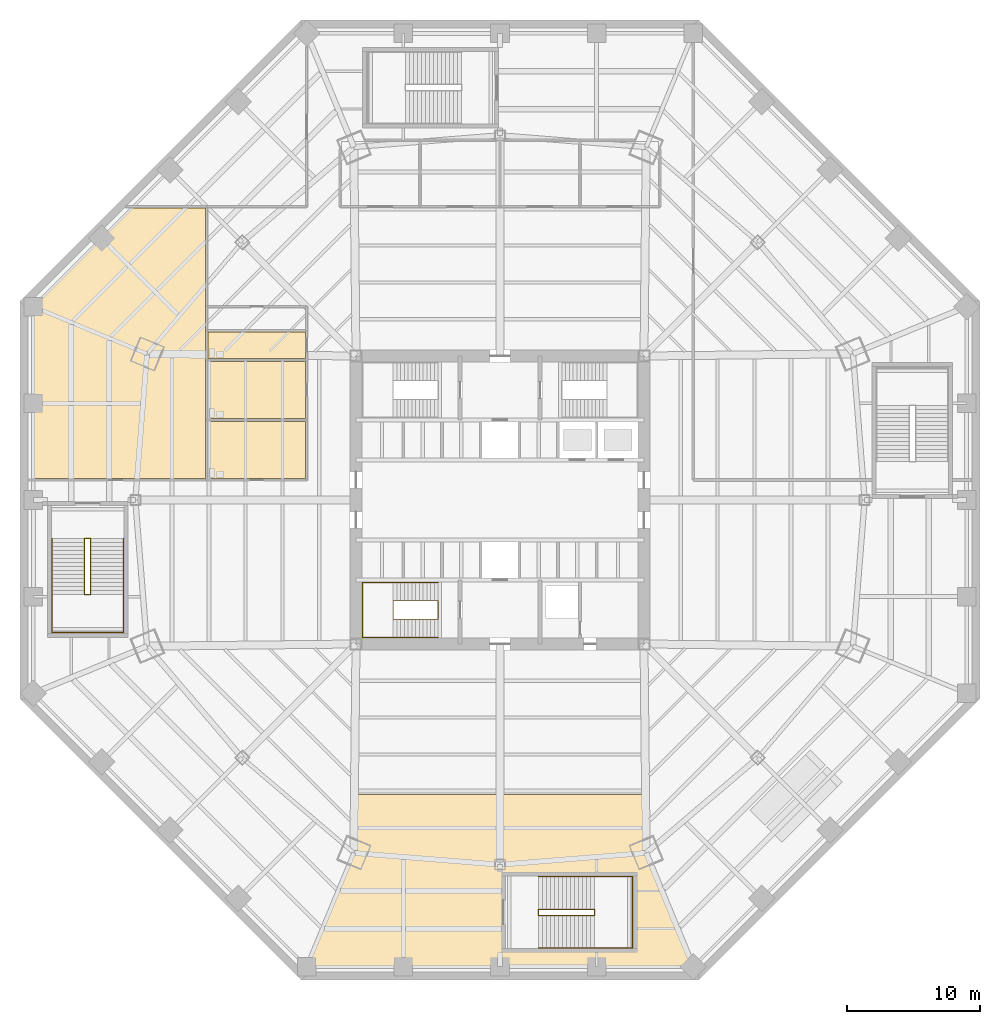
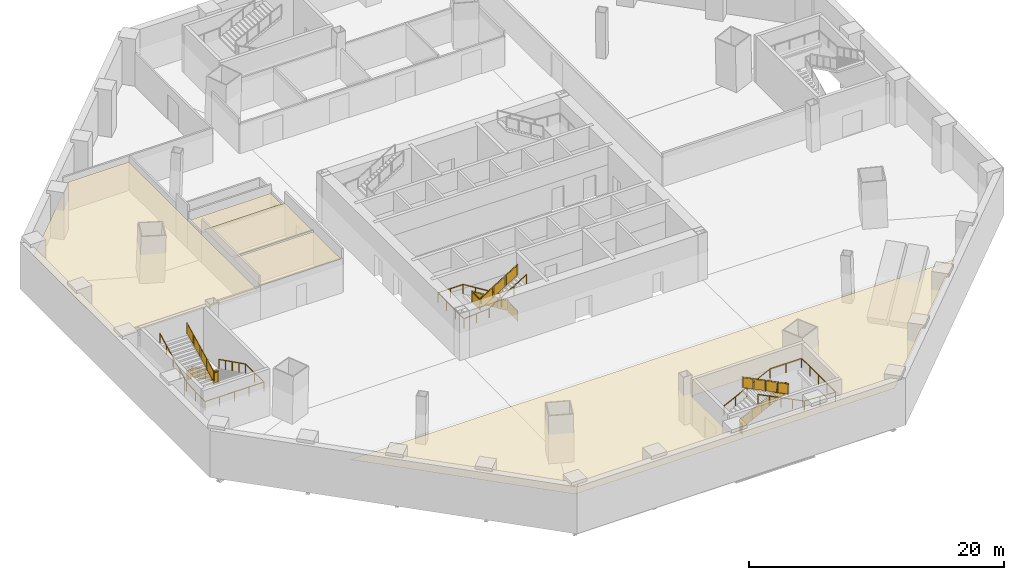
# One storey, part 11 of 15: 6 railings, 5 coverings.
"""IFC4 building model written with IfcOpenShell, lengths in metres."""

import ifcopenshell
import ifcopenshell.guid

model = None  # the IFC model being written
_history = None  # IfcOwnerHistory: only IFC2X3 demands one
_inside = {}  # id of a spatial element -> (the spatial element, [elements in it])
_under = {}  # id of a project, library or spatial element -> (it, [spatial elements below it])
_declared = {}  # id of a project -> (the project, [libraries it declares])
_typed = {}  # id of a type object -> (the type object, [elements of that type])
_made_of = {}  # id of a material, layer set ... -> (it, [elements and type objects made of it])


def new_model(schema):
    """Start an empty IFC model of exactly this schema.

    Asked for "IFC4X3", IfcOpenShell would pick the latest addendum, in which some entities
    have other attributes; the version numbers below select the first issue.
    IFC2X3 requires an IfcOwnerHistory on every rooted entity: one is made here for all.
    """
    global model, _history
    if schema == "IFC4X3":
        model = ifcopenshell.file(schema_version=(4, 3, 0, 0))
    else:
        model = ifcopenshell.file(schema=schema)
    _inside.clear()
    _under.clear()
    _declared.clear()
    _typed.clear()
    _made_of.clear()
    _history = None
    if model.schema == "IFC2X3":
        org = make("IfcOrganization", Name="unknown")
        user = make(
            "IfcPersonAndOrganization",
            ThePerson=make("IfcPerson", FamilyName="unknown"),
            TheOrganization=org,
        )
        app = make(
            "IfcApplication",
            ApplicationDeveloper=org,
            Version="unknown",
            ApplicationFullName="unknown",
            ApplicationIdentifier="unknown",
        )
        _history = make(
            "IfcOwnerHistory",
            OwningUser=user,
            OwningApplication=app,
            ChangeAction="ADDED",
            CreationDate=0,
        )
    return model


def make(cls, **values):
    """One entity of the class cls with the attributes given. An attribute that is None is left unset."""
    return model.create_entity(
        cls, **{name: value for name, value in values.items() if value is not None}
    )


def rooted(cls, **values):
    """An entity with a GlobalId (a new one), such as an element, a storey or a relation."""
    return make(cls, GlobalId=ifcopenshell.guid.new(), OwnerHistory=_history, **values)


def si_unit(unit_type, name, prefix=None):
    """IfcSIUnit, for example si_unit("LENGTHUNIT", "METRE", prefix="MILLI")."""
    return make("IfcSIUnit", UnitType=unit_type, Prefix=prefix, Name=name)


def assignment(units):
    """IfcUnitAssignment: the units of a project."""
    return None if units is None else make("IfcUnitAssignment", Units=units)


def point(xyz):
    """IfcCartesianPoint."""
    return None if xyz is None else make("IfcCartesianPoint", Coordinates=xyz)


def direction(xyz):
    """IfcDirection."""
    return None if xyz is None else make("IfcDirection", DirectionRatios=xyz)


def frame(location, z_axis=None, x_axis=None):
    """IfcAxis2Placement3D, a coordinate frame: its origin and axes. An axis left out is left unset."""
    return make(
        "IfcAxis2Placement3D",
        Location=point(location),
        Axis=direction(z_axis),
        RefDirection=direction(x_axis),
    )


def frame_2d(location, x_axis=None):
    """IfcAxis2Placement2D, a coordinate frame in the plane: its origin and x axis."""
    return make(
        "IfcAxis2Placement2D", Location=point(location), RefDirection=direction(x_axis)
    )


def origin():
    """The frame at (0, 0, 0) with its axes left unset."""
    return frame((0.0, 0.0, 0.0))


def origin_2d():
    """The frame at (0, 0) in the plane with its x axis left unset."""
    return frame_2d((0.0, 0.0))


def place(relative_to, where):
    """IfcLocalPlacement: puts the frame where relative to a parent placement (None: the world)."""
    return make(
        "IfcLocalPlacement", PlacementRelTo=relative_to, RelativePlacement=where
    )


def context(
    kind, dimensions, precision=None, world=None, true_north=None, identifier=None
):
    """IfcGeometricRepresentationContext, for example the 3D "Model" context."""
    return make(
        "IfcGeometricRepresentationContext",
        ContextIdentifier=identifier,
        ContextType=kind,
        CoordinateSpaceDimension=dimensions,
        Precision=precision,
        WorldCoordinateSystem=world,
        TrueNorth=true_north,
    )


def subcontext(parent, identifier, kind, view, scale=None):
    """IfcGeometricRepresentationSubContext, for example "Body" below "Model"."""
    return make(
        "IfcGeometricRepresentationSubContext",
        ContextIdentifier=identifier,
        ContextType=kind,
        ParentContext=parent,
        TargetScale=scale,
        TargetView=view,
    )


def project(units=None, contexts=None):
    """IfcProject with its units and contexts."""
    return rooted(
        "IfcProject",
        Name="project",
        RepresentationContexts=contexts,
        UnitsInContext=assignment(units),
    )


def spatial(cls, under=None, at=None, **own):
    """A site, building, storey or space (cls), placed at a placement, below another one or the project."""
    s = rooted(cls, ObjectPlacement=at, **own)
    if under is not None:
        _under.setdefault(under.id(), (under, []))[1].append(s)
    return s


def polyline(points):
    """IfcPolyline through the points."""
    return make("IfcPolyline", Points=[point(p) for p in points])


def profile(cls, at=None, kind="AREA", **sizes):
    """A parametric profile (cls). Its sizes go by their IFC names, for example OverallWidth=200.0."""
    return make(cls, ProfileType=kind, Position=at, **sizes)


def circle(**sizes):
    """IfcCircleProfileDef."""
    return profile("IfcCircleProfileDef", **sizes)


def outline(outer, holes=None, kind="AREA"):
    """IfcArbitraryClosedProfileDef: a profile drawn as a closed curve; with holes, ...WithVoids."""
    if holes is None:
        return make("IfcArbitraryClosedProfileDef", ProfileType=kind, OuterCurve=outer)
    return make(
        "IfcArbitraryProfileDefWithVoids",
        ProfileType=kind,
        OuterCurve=outer,
        InnerCurves=holes,
    )


def extrude(swept, where, along, depth):
    """IfcExtrudedAreaSolid: the profile swept, set in the frame where, extruded along a direction by depth."""
    return make(
        "IfcExtrudedAreaSolid",
        SweptArea=swept,
        Position=where,
        ExtrudedDirection=direction(along),
        Depth=depth,
    )


def shape(context_of_items, identifier, shape_type, items):
    """IfcShapeRepresentation: the items that make up one representation, for example the "Body"."""
    return make(
        "IfcShapeRepresentation",
        ContextOfItems=context_of_items,
        RepresentationIdentifier=identifier,
        RepresentationType=shape_type,
        Items=items,
    )


def material(Name=None, Category=None):
    """IfcMaterial."""
    return make("IfcMaterial", Name=Name, Category=Category)


def layer(
    of_material, thickness, ventilated=None, Name=None, Category=None, Priority=None
):
    """IfcMaterialLayer: one layer of a wall or slab, of a material (None: an air gap)."""
    return make(
        "IfcMaterialLayer",
        Material=of_material,
        LayerThickness=thickness,
        IsVentilated=ventilated,
        Name=Name,
        Category=Category,
        Priority=Priority,
    )


def layer_set(layers, Name=None):
    """IfcMaterialLayerSet."""
    return make("IfcMaterialLayerSet", MaterialLayers=layers, LayerSetName=Name)


def made_of(thing, what):
    """Note that an element or type object is made of a material, layer set ...; save() writes the relation."""
    if what is not None:
        _made_of.setdefault(what.id(), (what, []))[1].append(thing)
    return thing


def type_object(cls, material=None, **own):
    """A type object (cls), such as IfcWallType, which elements share."""
    return made_of(rooted(cls, **own), material)


def element(
    cls,
    number,
    at=None,
    inside=None,
    cuts=None,
    type_object=None,
    material=None,
    context=None,
    identifier="Body",
    shape_type=None,
    held_by="IfcProductDefinitionShape",
    body=None,
    shapes=None,
    **own,
):
    """One element of the class cls, such as IfcWall. Its Tag is "e" and its number.

    at: its placement. inside: the storey or other place that contains it. cuts: it is an
    opening in that element (IfcRelVoidsElement). A single representation is given by context,
    identifier, shape_type and body (its items); several are given by shapes. held_by: the class
    of the entity that holds the representations. save() writes the other relations.
    """
    e = rooted(cls, Tag="e%d" % number, ObjectPlacement=at, **own)
    if body is not None:
        shapes = [shape(context, identifier, shape_type, body)]
    if shapes is not None:
        e.Representation = make(held_by, Representations=shapes)
    if inside is not None:
        _inside.setdefault(inside.id(), (inside, []))[1].append(e)
    if cuts is not None:
        rooted(
            "IfcRelVoidsElement", RelatingBuildingElement=cuts, RelatedOpeningElement=e
        )
    if type_object is not None:
        _typed.setdefault(type_object.id(), (type_object, []))[1].append(e)
    return made_of(e, material)


def aggregate(whole, parts):
    """IfcRelAggregates: a whole, such as a stair, and the parts it consists of."""
    return rooted("IfcRelAggregates", RelatingObject=whole, RelatedObjects=parts)


def save(model, path):
    """Write the relations noted so far, then the file.

    IfcRelAggregates (storeys below a building ...), IfcRelContainedInSpatialStructure (elements
    in a storey), IfcRelDefinesByType, IfcRelAssociatesMaterial and IfcRelDeclares: one each for
    every whole, place, type object, material and project.
    """
    for whole, parts in _under.values():
        aggregate(whole, parts)
    for where, things in _inside.values():
        rooted(
            "IfcRelContainedInSpatialStructure",
            RelatedElements=things,
            RelatingStructure=where,
        )
    for kind, things in _typed.values():
        rooted("IfcRelDefinesByType", RelatedObjects=things, RelatingType=kind)
    for what, things in _made_of.values():
        rooted("IfcRelAssociatesMaterial", RelatedObjects=things, RelatingMaterial=what)
    for by, libraries in _declared.values():
        rooted("IfcRelDeclares", RelatingContext=by, RelatedDefinitions=libraries)
    model.write(path)


model = new_model("IFC4")

# Units and contexts
model_context = context("Model", 3, precision=1e-05, world=origin(), true_north=direction((0.0, 1.0)))
body_context = subcontext(model_context, "Body", "Model", "MODEL_VIEW")
ifc_project = project(units=[si_unit("LENGTHUNIT", "METRE"), si_unit("AREAUNIT", "SQUARE_METRE"), si_unit("VOLUMEUNIT", "CUBIC_METRE"), si_unit("PLANEANGLEUNIT", "RADIAN"), si_unit("MASSUNIT", "GRAM", prefix="KILO")], contexts=[model_context])

# Site, building, storey
site_placement = place(None, origin())
site = spatial("IfcSite", under=ifc_project, at=site_placement, CompositionType="ELEMENT")
building_placement = place(site_placement, origin())
building = spatial("IfcBuilding", under=site, at=building_placement, Name="Mashrafa Tower", CompositionType="ELEMENT")
storey_placement = place(building_placement, frame((0.0, 0.0, -4.5)))
storey = spatial("IfcBuildingStorey", under=building, at=storey_placement, Name="B1", CompositionType="ELEMENT", Elevation=-4.5)

# Railings
ifc_material_1 = material(Name="Steel guard with glass infill", Category="steel")
railing_type_1 = type_object("IfcRailingType", Name="Stair guard 1100", PredefinedType="GUARDRAIL", material=ifc_material_1)
railing_1_placement = place(storey_placement, frame((-4.64990234375, -8.949951171875, 0.0)))
element("IfcRailing", 1, at=railing_1_placement, inside=storey, type_object=railing_type_1, Name="Stair S3 guard B1", PredefinedType="GUARDRAIL", context=body_context, shape_type="SweptSolid", body=[
    extrude(circle(Radius=0.02392578125, at=origin_2d()), frame((0.0, 0.0, 1.076171875), z_axis=(0.0, 1.0, 0.0), x_axis=(-1.0, 0.0, 0.0)), (0.0, 0.0, 1.0), 1.39990234375),
    extrude(circle(Radius=0.02392578125, at=origin_2d()), frame((0.0, 1.39990234375, 1.076171875), z_axis=(0.0, 0.0, 1.0), x_axis=(1.0, 0.0, 0.0)), (0.0, 0.0, 1.0), 0.173095703125),
    extrude(circle(Radius=0.02392578125, at=origin_2d()), frame((0.0, 1.39990234375, 1.2490234375), z_axis=(-0.850623216509, 0.0, 0.525775754039), x_axis=(0.0, -1.0, 0.0)), (0.0, 0.0, 1.0), 3.9501953125),
    extrude(circle(Radius=0.02392578125, at=origin_2d()), frame((-3.360107421875, 1.39990234375, 3.326171875), z_axis=(0.0, -1.0, 0.0), x_axis=(1.0, 0.0, 0.0)), (0.0, 0.0, 1.0), 1.39990234375),
    extrude(circle(Radius=0.02392578125, at=origin_2d()), frame((-3.360107421875, 0.0, 3.326171875), z_axis=(0.0, 0.0, 1.0), x_axis=(1.0, 0.0, 0.0)), (0.0, 0.0, 1.0), 0.173095703125),
    extrude(circle(Radius=0.02392578125, at=origin_2d()), frame((-3.360107421875, 0.0, 3.4990234375), z_axis=(0.850623216509, 0.0, 0.525775754039), x_axis=(0.0, 1.0, 0.0)), (0.0, 0.0, 1.0), 3.9501953125),
    extrude(circle(Radius=0.02099609375, at=origin_2d()), origin(), (0.0, 0.0, 1.0), 1.052001953125),
    extrude(circle(Radius=0.02099609375, at=origin_2d()), frame((0.0, 1.39990234375, 0.0)), (0.0, 0.0, 1.0), 1.052001953125),
    extrude(circle(Radius=0.02099609375, at=origin_2d()), frame((0.0, 1.39990234375, 0.173095703125)), (0.0, 0.0, 1.0), 1.052001953125),
    extrude(circle(Radius=0.02099609375, at=origin_2d()), frame((-1.1201171875, 1.39990234375, 0.865478515625)), (0.0, 0.0, 1.0), 1.052001953125),
    extrude(circle(Radius=0.02099609375, at=origin_2d()), frame((-2.239990234375, 1.39990234375, 1.5576171875)), (0.0, 0.0, 1.0), 1.052001953125),
    extrude(circle(Radius=0.02099609375, at=origin_2d()), frame((-3.360107421875, 1.39990234375, 2.25)), (0.0, 0.0, 1.0), 1.052001953125),
    extrude(circle(Radius=0.02099609375, at=origin_2d()), frame((-3.360107421875, 0.0, 2.25)), (0.0, 0.0, 1.0), 1.052001953125),
    extrude(circle(Radius=0.02099609375, at=origin_2d()), frame((-3.360107421875, 0.0, 2.423095703125)), (0.0, 0.0, 1.0), 1.052001953125),
    extrude(circle(Radius=0.02099609375, at=origin_2d()), frame((-2.239990234375, 0.0, 3.115478515625)), (0.0, 0.0, 1.0), 1.052001953125),
    extrude(circle(Radius=0.02099609375, at=origin_2d()), frame((-1.1201171875, 0.0, 3.8076171875)), (0.0, 0.0, 1.0), 1.052001953125),
    extrude(circle(Radius=0.02099609375, at=origin_2d()), frame((0.0, 0.0, 4.5)), (0.0, 0.0, 1.0), 1.052001953125),
    extrude(outline(polyline([(0.071044921875, 0.050048828125), (1.328857421875, 0.050048828125), (1.328857421875, 1.001953125), (0.071044921875, 1.001953125), (0.071044921875, 0.050048828125)])), frame((0.006103515625, 0.0, 0.0), z_axis=(1.0, 0.0, 0.0), x_axis=(0.0, 1.0, 0.0)), (0.0, 0.0, 1.0), 0.011962890625),
    extrude(outline(polyline([(0.071044921875, 0.093994140625), (1.049072265625, 0.698486328125), (1.049072265625, 1.650390625), (0.071044921875, 1.0458984375), (0.071044921875, 0.093994140625)])), frame((0.0, 1.406005859375, 0.173095703125), z_axis=(0.0, 1.0, 0.0), x_axis=(-1.0, 0.0, 0.0)), (0.0, 0.0, 1.0), 0.011962890625),
    extrude(outline(polyline([(1.19091796875, 0.7861328125), (2.169189453125, 1.390625), (2.169189453125, 2.3427734375), (1.19091796875, 1.73828125), (1.19091796875, 0.7861328125)])), frame((0.0, 1.406005859375, 0.173095703125), z_axis=(0.0, 1.0, 0.0), x_axis=(-1.0, 0.0, 0.0)), (0.0, 0.0, 1.0), 0.011962890625),
    extrude(outline(polyline([(2.31103515625, 1.478515625), (3.2890625, 2.0830078125), (3.2890625, 3.034912109375), (2.31103515625, 2.430419921875), (2.31103515625, 1.478515625)])), frame((0.0, 1.406005859375, 0.173095703125), z_axis=(0.0, 1.0, 0.0), x_axis=(-1.0, 0.0, 0.0)), (0.0, 0.0, 1.0), 0.011962890625),
    extrude(outline(polyline([(0.071044921875, 0.050048828125), (1.328857421875, 0.050048828125), (1.328857421875, 1.001953125), (0.071044921875, 1.001953125), (0.071044921875, 0.050048828125)])), frame((-3.3662109375, 1.39990234375, 2.25), z_axis=(-1.0, 0.0, 0.0), x_axis=(0.0, -1.0, 0.0)), (0.0, 0.0, 1.0), 0.011962890625),
    extrude(outline(polyline([(0.071044921875, 0.093994140625), (1.049072265625, 0.698486328125), (1.049072265625, 1.650390625), (0.071044921875, 1.0458984375), (0.071044921875, 0.093994140625)])), frame((-3.360107421875, -0.006103515625, 2.423095703125), z_axis=(0.0, -1.0, 0.0), x_axis=(1.0, 0.0, 0.0)), (0.0, 0.0, 1.0), 0.011962890625),
    extrude(outline(polyline([(1.19091796875, 0.7861328125), (2.169189453125, 1.390625), (2.169189453125, 2.3427734375), (1.19091796875, 1.73828125), (1.19091796875, 0.7861328125)])), frame((-3.360107421875, -0.006103515625, 2.423095703125), z_axis=(0.0, -1.0, 0.0), x_axis=(1.0, 0.0, 0.0)), (0.0, 0.0, 1.0), 0.011962890625),
    extrude(outline(polyline([(2.31103515625, 1.478515625), (3.2890625, 2.0830078125), (3.2890625, 3.034912109375), (2.31103515625, 2.430419921875), (2.31103515625, 1.478515625)])), frame((-3.360107421875, -0.006103515625, 2.423095703125), z_axis=(0.0, -1.0, 0.0), x_axis=(1.0, 0.0, 0.0)), (0.0, 0.0, 1.0), 0.011962890625),
])
railing_2_placement = place(storey_placement, frame((-31.14990234375, -2.89990234375, 0.0)))
element("IfcRailing", 2, at=railing_2_placement, inside=storey, type_object=railing_type_1, Name="Stair P3 guard B1", PredefinedType="GUARDRAIL", context=body_context, shape_type="SweptSolid", body=[
    extrude(circle(Radius=0.02392578125, at=origin_2d()), frame((0.0, 0.0, 1.076171875), z_axis=(1.0, 0.0, 0.0), x_axis=(0.0, 1.0, 0.0)), (0.0, 0.0, 1.0), 0.449951171875),
    extrude(circle(Radius=0.02392578125, at=origin_2d()), frame((0.449951171875, 0.0, 1.076171875), z_axis=(0.0, 0.0, 1.0), x_axis=(1.0, 0.0, 0.0)), (0.0, 0.0, 1.0), 0.14990234375),
    extrude(circle(Radius=0.02392578125, at=origin_2d()), frame((0.449951171875, 0.0, 1.22607421875), z_axis=(0.0, -0.894427191, 0.4472135955), x_axis=(1.0, 0.0, 0.0)), (0.0, 0.0, 1.0), 4.696044921875),
    extrude(circle(Radius=0.02392578125, at=origin_2d()), frame((0.449951171875, -4.2001953125, 3.326171875), z_axis=(-1.0, 0.0, 0.0), x_axis=(0.0, -1.0, 0.0)), (0.0, 0.0, 1.0), 0.449951171875),
    extrude(circle(Radius=0.02392578125, at=origin_2d()), frame((0.0, -4.2001953125, 3.326171875), z_axis=(0.0, 0.0, 1.0), x_axis=(1.0, 0.0, 0.0)), (0.0, 0.0, 1.0), 0.14990234375),
    extrude(circle(Radius=0.02392578125, at=origin_2d()), frame((0.0, -4.2001953125, 3.47607421875), z_axis=(0.0, 0.894427191, 0.4472135955), x_axis=(-1.0, 0.0, 0.0)), (0.0, 0.0, 1.0), 4.696044921875),
    extrude(circle(Radius=0.02099609375, at=origin_2d()), origin(), (0.0, 0.0, 1.0), 1.052001953125),
    extrude(circle(Radius=0.02099609375, at=origin_2d()), frame((0.449951171875, 0.0, 0.0)), (0.0, 0.0, 1.0), 1.052001953125),
    extrude(circle(Radius=0.02099609375, at=origin_2d()), frame((0.449951171875, 0.0, 0.14990234375)), (0.0, 0.0, 1.0), 1.052001953125),
    extrude(circle(Radius=0.02099609375, at=origin_2d()), frame((0.449951171875, -1.050048828125, 0.6748046875)), (0.0, 0.0, 1.0), 1.052001953125),
    extrude(circle(Radius=0.02099609375, at=origin_2d()), frame((0.449951171875, -2.10009765625, 1.199951171875)), (0.0, 0.0, 1.0), 1.052001953125),
    extrude(circle(Radius=0.02099609375, at=origin_2d()), frame((0.449951171875, -3.150146484375, 1.72509765625)), (0.0, 0.0, 1.0), 1.052001953125),
    extrude(circle(Radius=0.02099609375, at=origin_2d()), frame((0.449951171875, -4.2001953125, 2.25)), (0.0, 0.0, 1.0), 1.052001953125),
    extrude(circle(Radius=0.02099609375, at=origin_2d()), frame((0.0, -4.2001953125, 2.25)), (0.0, 0.0, 1.0), 1.052001953125),
    extrude(circle(Radius=0.02099609375, at=origin_2d()), frame((0.0, -4.2001953125, 2.39990234375)), (0.0, 0.0, 1.0), 1.052001953125),
    extrude(circle(Radius=0.02099609375, at=origin_2d()), frame((0.0, -3.150146484375, 2.9248046875)), (0.0, 0.0, 1.0), 1.052001953125),
    extrude(circle(Radius=0.02099609375, at=origin_2d()), frame((0.0, -2.10009765625, 3.449951171875)), (0.0, 0.0, 1.0), 1.052001953125),
    extrude(circle(Radius=0.02099609375, at=origin_2d()), frame((0.0, -1.050048828125, 3.97509765625)), (0.0, 0.0, 1.0), 1.052001953125),
    extrude(circle(Radius=0.02099609375, at=origin_2d()), frame((0.0, 0.0, 4.5)), (0.0, 0.0, 1.0), 1.052001953125),
    extrude(outline(polyline([(0.071044921875, 0.050048828125), (0.37890625, 0.050048828125), (0.37890625, 1.001953125), (0.071044921875, 1.001953125), (0.071044921875, 0.050048828125)])), frame((0.0, -0.006103515625, 0.0), z_axis=(0.0, -1.0, 0.0), x_axis=(1.0, 0.0, 0.0)), (0.0, 0.0, 1.0), 0.011962890625),
    extrude(outline(polyline([(0.071044921875, 0.08544921875), (0.97900390625, 0.53955078125), (0.97900390625, 1.491455078125), (0.071044921875, 1.03759765625), (0.071044921875, 0.08544921875)])), frame((0.44384765625, 0.0, 0.14990234375), z_axis=(-1.0, 0.0, 0.0), x_axis=(0.0, -1.0, 0.0)), (0.0, 0.0, 1.0), 0.011962890625),
    extrude(outline(polyline([(1.12109375, 0.610595703125), (2.029052734375, 1.064453125), (2.029052734375, 2.0166015625), (1.12109375, 1.5625), (1.12109375, 0.610595703125)])), frame((0.44384765625, 0.0, 0.14990234375), z_axis=(-1.0, 0.0, 0.0), x_axis=(0.0, -1.0, 0.0)), (0.0, 0.0, 1.0), 0.011962890625),
    extrude(outline(polyline([(2.171142578125, 1.135498046875), (3.0791015625, 1.589599609375), (3.0791015625, 2.54150390625), (2.171142578125, 2.087646484375), (2.171142578125, 1.135498046875)])), frame((0.44384765625, 0.0, 0.14990234375), z_axis=(-1.0, 0.0, 0.0), x_axis=(0.0, -1.0, 0.0)), (0.0, 0.0, 1.0), 0.011962890625),
    extrude(outline(polyline([(3.22119140625, 1.66064453125), (4.129150390625, 2.114501953125), (4.129150390625, 3.066650390625), (3.22119140625, 2.612548828125), (3.22119140625, 1.66064453125)])), frame((0.44384765625, 0.0, 0.14990234375), z_axis=(-1.0, 0.0, 0.0), x_axis=(0.0, -1.0, 0.0)), (0.0, 0.0, 1.0), 0.011962890625),
    extrude(outline(polyline([(0.071044921875, 0.050048828125), (0.37890625, 0.050048828125), (0.37890625, 1.001953125), (0.071044921875, 1.001953125), (0.071044921875, 0.050048828125)])), frame((0.449951171875, -4.194091796875, 2.25), z_axis=(0.0, 1.0, 0.0), x_axis=(-1.0, 0.0, 0.0)), (0.0, 0.0, 1.0), 0.011962890625),
    extrude(outline(polyline([(0.071044921875, 0.08544921875), (0.97900390625, 0.53955078125), (0.97900390625, 1.491455078125), (0.071044921875, 1.03759765625), (0.071044921875, 0.08544921875)])), frame((0.006103515625, -4.2001953125, 2.39990234375), z_axis=(1.0, 0.0, 0.0), x_axis=(0.0, 1.0, 0.0)), (0.0, 0.0, 1.0), 0.011962890625),
    extrude(outline(polyline([(1.12109375, 0.610595703125), (2.029052734375, 1.064453125), (2.029052734375, 2.0166015625), (1.12109375, 1.5625), (1.12109375, 0.610595703125)])), frame((0.006103515625, -4.2001953125, 2.39990234375), z_axis=(1.0, 0.0, 0.0), x_axis=(0.0, 1.0, 0.0)), (0.0, 0.0, 1.0), 0.011962890625),
    extrude(outline(polyline([(2.171142578125, 1.135498046875), (3.0791015625, 1.589599609375), (3.0791015625, 2.54150390625), (2.171142578125, 2.087646484375), (2.171142578125, 1.135498046875)])), frame((0.006103515625, -4.2001953125, 2.39990234375), z_axis=(1.0, 0.0, 0.0), x_axis=(0.0, 1.0, 0.0)), (0.0, 0.0, 1.0), 0.011962890625),
    extrude(outline(polyline([(3.22119140625, 1.66064453125), (4.129150390625, 2.114501953125), (4.129150390625, 3.066650390625), (3.22119140625, 2.612548828125), (3.22119140625, 1.66064453125)])), frame((0.006103515625, -4.2001953125, 2.39990234375), z_axis=(1.0, 0.0, 0.0), x_axis=(0.0, 1.0, 0.0)), (0.0, 0.0, 1.0), 0.011962890625),
])
railing_3_placement = place(storey_placement, frame((2.89990234375, -31.14990234375, 0.0)))
element("IfcRailing", 3, at=railing_3_placement, inside=storey, type_object=railing_type_1, Name="Stair P4 guard B1", PredefinedType="GUARDRAIL", context=body_context, shape_type="SweptSolid", body=[
    extrude(circle(Radius=0.02392578125, at=origin_2d()), frame((0.0, 0.0, 1.076171875), z_axis=(0.0, 1.0, 0.0), x_axis=(-1.0, 0.0, 0.0)), (0.0, 0.0, 1.0), 0.449951171875),
    extrude(circle(Radius=0.02392578125, at=origin_2d()), frame((0.0, 0.449951171875, 1.076171875), z_axis=(0.0, 0.0, 1.0), x_axis=(1.0, 0.0, 0.0)), (0.0, 0.0, 1.0), 0.14990234375),
    extrude(circle(Radius=0.02392578125, at=origin_2d()), frame((0.0, 0.449951171875, 1.22607421875), z_axis=(0.894427191, 0.0, 0.4472135955), x_axis=(0.0, 1.0, 0.0)), (0.0, 0.0, 1.0), 4.696044921875),
    extrude(circle(Radius=0.02392578125, at=origin_2d()), frame((4.2001953125, 0.449951171875, 3.326171875), z_axis=(0.0, -1.0, 0.0), x_axis=(1.0, 0.0, 0.0)), (0.0, 0.0, 1.0), 0.449951171875),
    extrude(circle(Radius=0.02392578125, at=origin_2d()), frame((4.2001953125, 0.0, 3.326171875), z_axis=(0.0, 0.0, 1.0), x_axis=(1.0, 0.0, 0.0)), (0.0, 0.0, 1.0), 0.14990234375),
    extrude(circle(Radius=0.02392578125, at=origin_2d()), frame((4.2001953125, 0.0, 3.47607421875), z_axis=(-0.894427191, 0.0, 0.4472135955), x_axis=(0.0, -1.0, 0.0)), (0.0, 0.0, 1.0), 4.696044921875),
    extrude(circle(Radius=0.02099609375, at=origin_2d()), origin(), (0.0, 0.0, 1.0), 1.052001953125),
    extrude(circle(Radius=0.02099609375, at=origin_2d()), frame((0.0, 0.449951171875, 0.0)), (0.0, 0.0, 1.0), 1.052001953125),
    extrude(circle(Radius=0.02099609375, at=origin_2d()), frame((0.0, 0.449951171875, 0.14990234375)), (0.0, 0.0, 1.0), 1.052001953125),
    extrude(circle(Radius=0.02099609375, at=origin_2d()), frame((1.050048828125, 0.449951171875, 0.6748046875)), (0.0, 0.0, 1.0), 1.052001953125),
    extrude(circle(Radius=0.02099609375, at=origin_2d()), frame((2.10009765625, 0.449951171875, 1.199951171875)), (0.0, 0.0, 1.0), 1.052001953125),
    extrude(circle(Radius=0.02099609375, at=origin_2d()), frame((3.150146484375, 0.449951171875, 1.72509765625)), (0.0, 0.0, 1.0), 1.052001953125),
    extrude(circle(Radius=0.02099609375, at=origin_2d()), frame((4.2001953125, 0.449951171875, 2.25)), (0.0, 0.0, 1.0), 1.052001953125),
    extrude(circle(Radius=0.02099609375, at=origin_2d()), frame((4.2001953125, 0.0, 2.25)), (0.0, 0.0, 1.0), 1.052001953125),
    extrude(circle(Radius=0.02099609375, at=origin_2d()), frame((4.2001953125, 0.0, 2.39990234375)), (0.0, 0.0, 1.0), 1.052001953125),
    extrude(circle(Radius=0.02099609375, at=origin_2d()), frame((3.150146484375, 0.0, 2.9248046875)), (0.0, 0.0, 1.0), 1.052001953125),
    extrude(circle(Radius=0.02099609375, at=origin_2d()), frame((2.10009765625, 0.0, 3.449951171875)), (0.0, 0.0, 1.0), 1.052001953125),
    extrude(circle(Radius=0.02099609375, at=origin_2d()), frame((1.050048828125, 0.0, 3.97509765625)), (0.0, 0.0, 1.0), 1.052001953125),
    extrude(circle(Radius=0.02099609375, at=origin_2d()), frame((0.0, 0.0, 4.5)), (0.0, 0.0, 1.0), 1.052001953125),
    extrude(outline(polyline([(0.071044921875, 0.050048828125), (0.37890625, 0.050048828125), (0.37890625, 1.001953125), (0.071044921875, 1.001953125), (0.071044921875, 0.050048828125)])), frame((0.006103515625, 0.0, 0.0), z_axis=(1.0, 0.0, 0.0), x_axis=(0.0, 1.0, 0.0)), (0.0, 0.0, 1.0), 0.011962890625),
    extrude(outline(polyline([(0.071044921875, 0.08544921875), (0.97900390625, 0.53955078125), (0.97900390625, 1.491455078125), (0.071044921875, 1.03759765625), (0.071044921875, 0.08544921875)])), frame((0.0, 0.44384765625, 0.14990234375), z_axis=(0.0, -1.0, 0.0), x_axis=(1.0, 0.0, 0.0)), (0.0, 0.0, 1.0), 0.011962890625),
    extrude(outline(polyline([(1.12109375, 0.610595703125), (2.029052734375, 1.064453125), (2.029052734375, 2.0166015625), (1.12109375, 1.5625), (1.12109375, 0.610595703125)])), frame((0.0, 0.44384765625, 0.14990234375), z_axis=(0.0, -1.0, 0.0), x_axis=(1.0, 0.0, 0.0)), (0.0, 0.0, 1.0), 0.011962890625),
    extrude(outline(polyline([(2.171142578125, 1.135498046875), (3.0791015625, 1.589599609375), (3.0791015625, 2.54150390625), (2.171142578125, 2.087646484375), (2.171142578125, 1.135498046875)])), frame((0.0, 0.44384765625, 0.14990234375), z_axis=(0.0, -1.0, 0.0), x_axis=(1.0, 0.0, 0.0)), (0.0, 0.0, 1.0), 0.011962890625),
    extrude(outline(polyline([(3.22119140625, 1.66064453125), (4.129150390625, 2.114501953125), (4.129150390625, 3.066650390625), (3.22119140625, 2.612548828125), (3.22119140625, 1.66064453125)])), frame((0.0, 0.44384765625, 0.14990234375), z_axis=(0.0, -1.0, 0.0), x_axis=(1.0, 0.0, 0.0)), (0.0, 0.0, 1.0), 0.011962890625),
    extrude(outline(polyline([(0.071044921875, 0.050048828125), (0.37890625, 0.050048828125), (0.37890625, 1.001953125), (0.071044921875, 1.001953125), (0.071044921875, 0.050048828125)])), frame((4.194091796875, 0.449951171875, 2.25), z_axis=(-1.0, 0.0, 0.0), x_axis=(0.0, -1.0, 0.0)), (0.0, 0.0, 1.0), 0.011962890625),
    extrude(outline(polyline([(0.071044921875, 0.08544921875), (0.97900390625, 0.53955078125), (0.97900390625, 1.491455078125), (0.071044921875, 1.03759765625), (0.071044921875, 0.08544921875)])), frame((4.2001953125, 0.006103515625, 2.39990234375), z_axis=(0.0, 1.0, 0.0), x_axis=(-1.0, 0.0, 0.0)), (0.0, 0.0, 1.0), 0.011962890625),
    extrude(outline(polyline([(1.12109375, 0.610595703125), (2.029052734375, 1.064453125), (2.029052734375, 2.0166015625), (1.12109375, 1.5625), (1.12109375, 0.610595703125)])), frame((4.2001953125, 0.006103515625, 2.39990234375), z_axis=(0.0, 1.0, 0.0), x_axis=(-1.0, 0.0, 0.0)), (0.0, 0.0, 1.0), 0.011962890625),
    extrude(outline(polyline([(2.171142578125, 1.135498046875), (3.0791015625, 1.589599609375), (3.0791015625, 2.54150390625), (2.171142578125, 2.087646484375), (2.171142578125, 1.135498046875)])), frame((4.2001953125, 0.006103515625, 2.39990234375), z_axis=(0.0, 1.0, 0.0), x_axis=(-1.0, 0.0, 0.0)), (0.0, 0.0, 1.0), 0.011962890625),
    extrude(outline(polyline([(3.22119140625, 1.66064453125), (4.129150390625, 2.114501953125), (4.129150390625, 3.066650390625), (3.22119140625, 2.612548828125), (3.22119140625, 1.66064453125)])), frame((4.2001953125, 0.006103515625, 2.39990234375), z_axis=(0.0, 1.0, 0.0), x_axis=(-1.0, 0.0, 0.0)), (0.0, 0.0, 1.0), 0.011962890625),
])
ifc_material_2 = material(Name="Steel", Category="steel")
railing_type_2 = type_object("IfcRailingType", Name="Stair handrail 900", PredefinedType="HANDRAIL", material=ifc_material_2)
railing_4_placement = place(storey_placement, frame((-4.64990234375, -6.199951171875, 0.173095703125)))
element("IfcRailing", 4, at=railing_4_placement, inside=storey, type_object=railing_type_2, Name="Stair S3 handrail B1", PredefinedType="HANDRAIL", context=body_context, shape_type="SweptSolid", body=[
    extrude(circle(Radius=0.02392578125, at=origin_2d()), frame((0.0, 0.0, 0.8759765625), z_axis=(-0.850623216509, 0.0, 0.525775754039), x_axis=(0.0, -1.0, 0.0)), (0.0, 0.0, 1.0), 3.9501953125),
    extrude(circle(Radius=0.02392578125, at=origin_2d()), frame((-3.360107421875, 0.0, 2.95263671875), z_axis=(-1.0, 0.0, 0.0), x_axis=(0.0, -1.0, 0.0)), (0.0, 0.0, 1.0), 2.2900390625),
    extrude(circle(Radius=0.02392578125, at=origin_2d()), frame((-5.650146484375, 0.0, 2.95263671875), z_axis=(0.0, -1.0, 0.0), x_axis=(1.0, 0.0, 0.0)), (0.0, 0.0, 1.0), 4.10009765625),
    extrude(circle(Radius=0.02392578125, at=origin_2d()), frame((-5.650146484375, -4.10009765625, 2.95263671875), z_axis=(0.99715553422, 0.0, 0.075371351147), x_axis=(0.0, 1.0, 0.0)), (0.0, 0.0, 1.0), 2.296630859375),
    extrude(circle(Radius=0.02392578125, at=origin_2d()), frame((-3.360107421875, -4.10009765625, 3.1259765625), z_axis=(0.850623216509, 0.0, 0.525775754039), x_axis=(0.0, 1.0, 0.0)), (0.0, 0.0, 1.0), 3.9501953125),
    extrude(circle(Radius=0.02099609375, at=origin_2d()), origin(), (0.0, 0.0, 1.0), 0.851806640625),
    extrude(circle(Radius=0.02099609375, at=origin_2d()), frame((-1.1201171875, 0.0, 0.6923828125)), (0.0, 0.0, 1.0), 0.851806640625),
    extrude(circle(Radius=0.02099609375, at=origin_2d()), frame((-2.239990234375, 0.0, 1.384521484375)), (0.0, 0.0, 1.0), 0.851806640625),
    extrude(circle(Radius=0.02099609375, at=origin_2d()), frame((-3.360107421875, 0.0, 2.076904296875)), (0.0, 0.0, 1.0), 0.851806640625),
    extrude(circle(Radius=0.02099609375, at=origin_2d()), frame((-4.505126953125, 0.0, 2.076904296875)), (0.0, 0.0, 1.0), 0.851806640625),
    extrude(circle(Radius=0.02099609375, at=origin_2d()), frame((-5.650146484375, 0.0, 2.076904296875)), (0.0, 0.0, 1.0), 0.851806640625),
    extrude(circle(Radius=0.02099609375, at=origin_2d()), frame((-5.650146484375, -1.36669921875, 2.076904296875)), (0.0, 0.0, 1.0), 0.851806640625),
    extrude(circle(Radius=0.02099609375, at=origin_2d()), frame((-5.650146484375, -2.7333984375, 2.076904296875)), (0.0, 0.0, 1.0), 0.851806640625),
    extrude(circle(Radius=0.02099609375, at=origin_2d()), frame((-5.650146484375, -4.10009765625, 2.076904296875)), (0.0, 0.0, 1.0), 0.851806640625),
    extrude(circle(Radius=0.02099609375, at=origin_2d()), frame((-4.505126953125, -4.10009765625, 2.16357421875)), (0.0, 0.0, 1.0), 0.851806640625),
    extrude(circle(Radius=0.02099609375, at=origin_2d()), frame((-3.360107421875, -4.10009765625, 2.25)), (0.0, 0.0, 1.0), 0.851806640625),
    extrude(circle(Radius=0.02099609375, at=origin_2d()), frame((-2.239990234375, -4.10009765625, 2.9423828125)), (0.0, 0.0, 1.0), 0.851806640625),
    extrude(circle(Radius=0.02099609375, at=origin_2d()), frame((-1.1201171875, -4.10009765625, 3.634521484375)), (0.0, 0.0, 1.0), 0.851806640625),
    extrude(circle(Radius=0.02099609375, at=origin_2d()), frame((0.0, -4.10009765625, 4.326904296875)), (0.0, 0.0, 1.0), 0.851806640625),
])
railing_5_placement = place(storey_placement, frame((-28.25, -2.89990234375, 0.14990234375)))
element("IfcRailing", 5, at=railing_5_placement, inside=storey, type_object=railing_type_2, Name="Stair P3 handrail B1", PredefinedType="HANDRAIL", context=body_context, shape_type="SweptSolid", body=[
    extrude(circle(Radius=0.02392578125, at=origin_2d()), frame((0.0, 0.0, 0.8759765625), z_axis=(0.0, -0.894427191, 0.4472135955), x_axis=(1.0, 0.0, 0.0)), (0.0, 0.0, 1.0), 4.696044921875),
    extrude(circle(Radius=0.02392578125, at=origin_2d()), frame((0.0, -4.2001953125, 2.97607421875), z_axis=(0.0, -1.0, 0.0), x_axis=(1.0, 0.0, 0.0)), (0.0, 0.0, 1.0), 2.849853515625),
    extrude(circle(Radius=0.02392578125, at=origin_2d()), frame((0.0, -7.050048828125, 2.97607421875), z_axis=(-1.0, 0.0, 0.0), x_axis=(0.0, -1.0, 0.0)), (0.0, 0.0, 1.0), 5.35009765625),
    extrude(circle(Radius=0.02392578125, at=origin_2d()), frame((-5.35009765625, -7.050048828125, 2.97607421875), z_axis=(0.0, 0.99861948311, 0.052527401922), x_axis=(-1.0, 0.0, 0.0)), (0.0, 0.0, 1.0), 2.853759765625),
    extrude(circle(Radius=0.02392578125, at=origin_2d()), frame((-5.35009765625, -4.2001953125, 3.1259765625), z_axis=(0.0, 0.894427191, 0.4472135955), x_axis=(-1.0, 0.0, 0.0)), (0.0, 0.0, 1.0), 4.696044921875),
    extrude(circle(Radius=0.02099609375, at=origin_2d()), origin(), (0.0, 0.0, 1.0), 0.851806640625),
    extrude(circle(Radius=0.02099609375, at=origin_2d()), frame((0.0, -1.050048828125, 0.52490234375)), (0.0, 0.0, 1.0), 0.851806640625),
    extrude(circle(Radius=0.02099609375, at=origin_2d()), frame((0.0, -2.10009765625, 1.050048828125)), (0.0, 0.0, 1.0), 0.851806640625),
    extrude(circle(Radius=0.02099609375, at=origin_2d()), frame((0.0, -3.150146484375, 1.5751953125)), (0.0, 0.0, 1.0), 0.851806640625),
    extrude(circle(Radius=0.02099609375, at=origin_2d()), frame((0.0, -4.2001953125, 2.10009765625)), (0.0, 0.0, 1.0), 0.851806640625),
    extrude(circle(Radius=0.02099609375, at=origin_2d()), frame((0.0, -5.625, 2.10009765625)), (0.0, 0.0, 1.0), 0.851806640625),
    extrude(circle(Radius=0.02099609375, at=origin_2d()), frame((0.0, -7.050048828125, 2.10009765625)), (0.0, 0.0, 1.0), 0.851806640625),
    extrude(circle(Radius=0.02099609375, at=origin_2d()), frame((-1.33740234375, -7.050048828125, 2.10009765625)), (0.0, 0.0, 1.0), 0.851806640625),
    extrude(circle(Radius=0.02099609375, at=origin_2d()), frame((-2.675048828125, -7.050048828125, 2.10009765625)), (0.0, 0.0, 1.0), 0.851806640625),
    extrude(circle(Radius=0.02099609375, at=origin_2d()), frame((-4.0126953125, -7.050048828125, 2.10009765625)), (0.0, 0.0, 1.0), 0.851806640625),
    extrude(circle(Radius=0.02099609375, at=origin_2d()), frame((-5.35009765625, -7.050048828125, 2.10009765625)), (0.0, 0.0, 1.0), 0.851806640625),
    extrude(circle(Radius=0.02099609375, at=origin_2d()), frame((-5.35009765625, -5.625, 2.175048828125)), (0.0, 0.0, 1.0), 0.851806640625),
    extrude(circle(Radius=0.02099609375, at=origin_2d()), frame((-5.35009765625, -4.2001953125, 2.25)), (0.0, 0.0, 1.0), 0.851806640625),
    extrude(circle(Radius=0.02099609375, at=origin_2d()), frame((-5.35009765625, -3.150146484375, 2.77490234375)), (0.0, 0.0, 1.0), 0.851806640625),
    extrude(circle(Radius=0.02099609375, at=origin_2d()), frame((-5.35009765625, -2.10009765625, 3.300048828125)), (0.0, 0.0, 1.0), 0.851806640625),
    extrude(circle(Radius=0.02099609375, at=origin_2d()), frame((-5.35009765625, -1.050048828125, 3.8251953125)), (0.0, 0.0, 1.0), 0.851806640625),
    extrude(circle(Radius=0.02099609375, at=origin_2d()), frame((-5.35009765625, 0.0, 4.35009765625)), (0.0, 0.0, 1.0), 0.851806640625),
])
railing_6_placement = place(storey_placement, frame((2.89990234375, -28.25, 0.14990234375)))
element("IfcRailing", 6, at=railing_6_placement, inside=storey, type_object=railing_type_2, Name="Stair P4 handrail B1", PredefinedType="HANDRAIL", context=body_context, shape_type="SweptSolid", body=[
    extrude(circle(Radius=0.02392578125, at=origin_2d()), frame((0.0, 0.0, 0.8759765625), z_axis=(0.894427191, 0.0, 0.4472135955), x_axis=(0.0, 1.0, 0.0)), (0.0, 0.0, 1.0), 4.696044921875),
    extrude(circle(Radius=0.02392578125, at=origin_2d()), frame((4.2001953125, 0.0, 2.97607421875), z_axis=(1.0, 0.0, 0.0), x_axis=(0.0, 1.0, 0.0)), (0.0, 0.0, 1.0), 2.849853515625),
    extrude(circle(Radius=0.02392578125, at=origin_2d()), frame((7.050048828125, 0.0, 2.97607421875), z_axis=(0.0, -1.0, 0.0), x_axis=(1.0, 0.0, 0.0)), (0.0, 0.0, 1.0), 5.35009765625),
    extrude(circle(Radius=0.02392578125, at=origin_2d()), frame((7.050048828125, -5.35009765625, 2.97607421875), z_axis=(-0.99861948311, 0.0, 0.052527401922), x_axis=(0.0, -1.0, 0.0)), (0.0, 0.0, 1.0), 2.853759765625),
    extrude(circle(Radius=0.02392578125, at=origin_2d()), frame((4.2001953125, -5.35009765625, 3.1259765625), z_axis=(-0.894427191, 0.0, 0.4472135955), x_axis=(0.0, -1.0, 0.0)), (0.0, 0.0, 1.0), 4.696044921875),
    extrude(circle(Radius=0.02099609375, at=origin_2d()), origin(), (0.0, 0.0, 1.0), 0.851806640625),
    extrude(circle(Radius=0.02099609375, at=origin_2d()), frame((1.050048828125, 0.0, 0.52490234375)), (0.0, 0.0, 1.0), 0.851806640625),
    extrude(circle(Radius=0.02099609375, at=origin_2d()), frame((2.10009765625, 0.0, 1.050048828125)), (0.0, 0.0, 1.0), 0.851806640625),
    extrude(circle(Radius=0.02099609375, at=origin_2d()), frame((3.150146484375, 0.0, 1.5751953125)), (0.0, 0.0, 1.0), 0.851806640625),
    extrude(circle(Radius=0.02099609375, at=origin_2d()), frame((4.2001953125, 0.0, 2.10009765625)), (0.0, 0.0, 1.0), 0.851806640625),
    extrude(circle(Radius=0.02099609375, at=origin_2d()), frame((5.625, 0.0, 2.10009765625)), (0.0, 0.0, 1.0), 0.851806640625),
    extrude(circle(Radius=0.02099609375, at=origin_2d()), frame((7.050048828125, 0.0, 2.10009765625)), (0.0, 0.0, 1.0), 0.851806640625),
    extrude(circle(Radius=0.02099609375, at=origin_2d()), frame((7.050048828125, -1.33740234375, 2.10009765625)), (0.0, 0.0, 1.0), 0.851806640625),
    extrude(circle(Radius=0.02099609375, at=origin_2d()), frame((7.050048828125, -2.675048828125, 2.10009765625)), (0.0, 0.0, 1.0), 0.851806640625),
    extrude(circle(Radius=0.02099609375, at=origin_2d()), frame((7.050048828125, -4.0126953125, 2.10009765625)), (0.0, 0.0, 1.0), 0.851806640625),
    extrude(circle(Radius=0.02099609375, at=origin_2d()), frame((7.050048828125, -5.35009765625, 2.10009765625)), (0.0, 0.0, 1.0), 0.851806640625),
    extrude(circle(Radius=0.02099609375, at=origin_2d()), frame((5.625, -5.35009765625, 2.175048828125)), (0.0, 0.0, 1.0), 0.851806640625),
    extrude(circle(Radius=0.02099609375, at=origin_2d()), frame((4.2001953125, -5.35009765625, 2.25)), (0.0, 0.0, 1.0), 0.851806640625),
    extrude(circle(Radius=0.02099609375, at=origin_2d()), frame((3.150146484375, -5.35009765625, 2.77490234375)), (0.0, 0.0, 1.0), 0.851806640625),
    extrude(circle(Radius=0.02099609375, at=origin_2d()), frame((2.10009765625, -5.35009765625, 3.300048828125)), (0.0, 0.0, 1.0), 0.851806640625),
    extrude(circle(Radius=0.02099609375, at=origin_2d()), frame((1.050048828125, -5.35009765625, 3.8251953125)), (0.0, 0.0, 1.0), 0.851806640625),
    extrude(circle(Radius=0.02099609375, at=origin_2d()), frame((0.0, -5.35009765625, 4.35009765625)), (0.0, 0.0, 1.0), 0.851806640625),
])

# Coverings
ifc_material_3 = material(Name="Mineral fibre tile on suspension grid")
ifc_layer = layer(ifc_material_3, 0.014892578125)
ifc_layer_set = layer_set([ifc_layer], Name="Suspended ceiling mineral tile 15")
covering_type = type_object("IfcCoveringType", Name="Suspended ceiling mineral tile 15", PredefinedType="CEILING", material=ifc_layer_set)
covering_1_placement = place(storey_placement, frame((0.0, 0.0, 3.14990234375)))
element("IfcCovering", 7, at=covering_1_placement, inside=storey, type_object=covering_type, Name="Ceiling WC Female B1", PredefinedType="CEILING", context=body_context, shape_type="SweptSolid", body=[
    extrude(outline(polyline([(-21.89990234375, 1.60009765625), (-21.89990234375, 5.89990234375), (-14.60009765625, 5.89990234375), (-14.60009765625, 1.60009765625), (-21.89990234375, 1.60009765625)])), origin(), (0.0, 0.0, 1.0), 0.01513671875),
])
covering_2_placement = place(storey_placement, frame((0.0, 0.0, 3.14990234375)))
element("IfcCovering", 8, at=covering_2_placement, inside=storey, type_object=covering_type, Name="Ceiling WC Male B1", PredefinedType="CEILING", context=body_context, shape_type="SweptSolid", body=[
    extrude(outline(polyline([(-21.89990234375, 6.10009765625), (-21.89990234375, 10.39990234375), (-14.60009765625, 10.39990234375), (-14.60009765625, 6.10009765625), (-21.89990234375, 6.10009765625)])), origin(), (0.0, 0.0, 1.0), 0.01513671875),
])
covering_3_placement = place(storey_placement, frame((0.0, 0.0, 2.75)))
element("IfcCovering", 9, at=covering_3_placement, inside=storey, type_object=covering_type, Name="Ceiling Accessible WC B1", PredefinedType="CEILING", context=body_context, shape_type="SweptSolid", body=[
    extrude(outline(polyline([(-21.89990234375, 10.60009765625), (-21.89990234375, 12.60009765625), (-14.60009765625, 12.60009765625), (-14.60009765625, 10.60009765625), (-21.89990234375, 10.60009765625)])), origin(), (0.0, 0.0, 1.0), 0.014892578125),
])
covering_4_placement = place(storey_placement, frame((0.0, 0.0, 2.75)))
element("IfcCovering", 10, at=covering_4_placement, inside=storey, type_object=covering_type, Name="Ceiling Station Staff Room B1", PredefinedType="CEILING", context=body_context, shape_type="SweptSolid", body=[
    extrude(outline(polyline([(-27.597412109375, 21.89990234375), (-22.10009765625, 21.89990234375), (-22.10009765625, 1.60009765625), (-35.0, 1.60009765625), (-35.0, 14.49755859375), (-27.597412109375, 21.89990234375)])), origin(), (0.0, 0.0, 1.0), 0.014892578125),
])
covering_5_placement = place(storey_placement, frame((0.0, 0.0, 2.75)))
element("IfcCovering", 11, at=covering_5_placement, inside=storey, type_object=covering_type, Name="Ceiling Ticket Hall B1", PredefinedType="CEILING", context=body_context, shape_type="SweptSolid", body=[
    extrude(outline(polyline([(27.3974609375, -22.10009765625), (14.49755859375, -35.0), (-14.49755859375, -35.0), (-27.3974609375, -22.10009765625), (27.3974609375, -22.10009765625)]), holes=[polyline([(0.14990234375, -27.949951171875), (0.14990234375, -33.89990234375), (10.25, -33.89990234375), (10.25, -27.949951171875), (0.14990234375, -27.949951171875)])]), origin(), (0.0, 0.0, 1.0), 0.014892578125),
])

save(model, "model.ifc")
